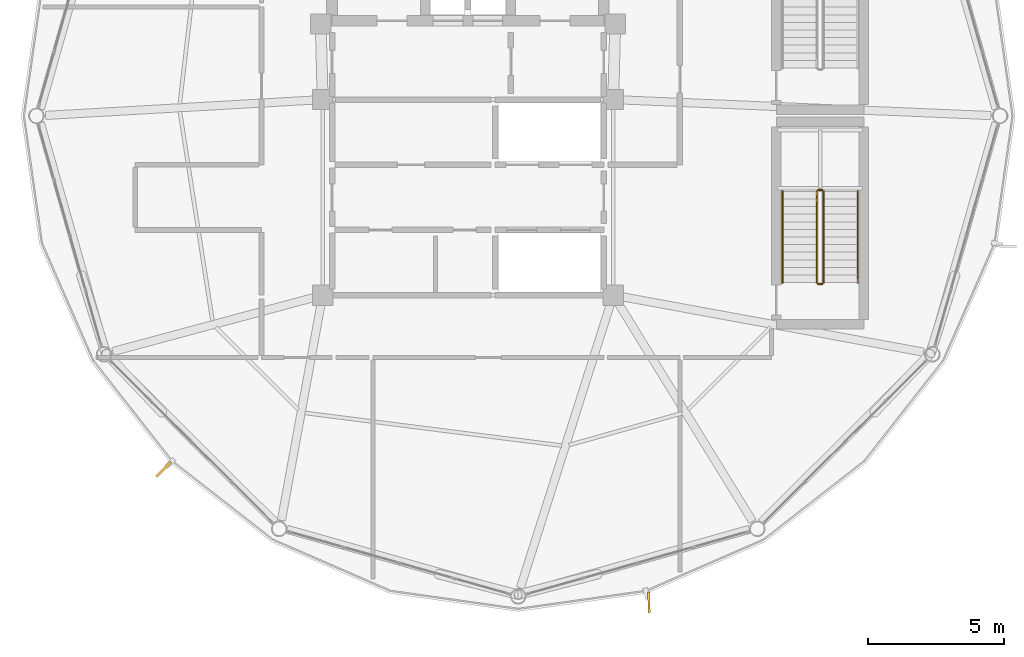
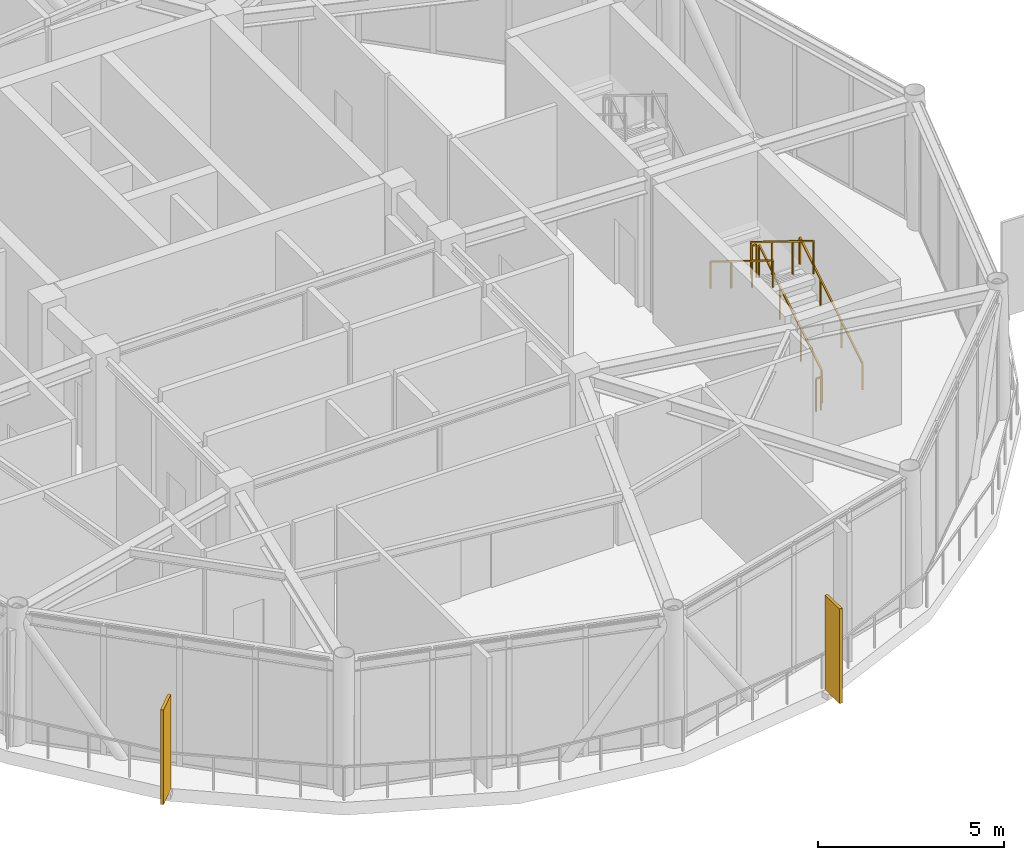
# One storey, part 24 of 26: 6 railings, 2 shading devices.
"""IFC4 building model written with IfcOpenShell, lengths in metres."""

from ifc_helpers import new_model, si_unit, direction, frame, origin, origin_2d, place, context, subcontext, project, spatial, rectangle, extrude, source, transform, mapped, material, type_object, type_shapes, element, save


model = new_model("IFC4")

# Units and contexts
model_context = context("Model", 3, precision=1e-05, world=origin(), true_north=direction((0.0, 1.0)))
body_context = subcontext(model_context, "Body", "Model", "MODEL_VIEW")
ifc_project = project(units=[si_unit("LENGTHUNIT", "METRE"), si_unit("AREAUNIT", "SQUARE_METRE"), si_unit("VOLUMEUNIT", "CUBIC_METRE"), si_unit("PLANEANGLEUNIT", "RADIAN"), si_unit("MASSUNIT", "GRAM", prefix="KILO")], contexts=[model_context])

# Site, building, storey
site_placement = place(None, origin())
site = spatial("IfcSite", under=ifc_project, at=site_placement, CompositionType="ELEMENT")
building_placement = place(site_placement, origin())
building = spatial("IfcBuilding", under=site, at=building_placement, Name="Varnakorn Sky Granary", CompositionType="ELEMENT")
storey_placement = place(building_placement, frame((0.0, 0.0, 289.5)))
storey = spatial("IfcBuildingStorey", under=building, at=storey_placement, Name="L74", CompositionType="ELEMENT", Elevation=289.5)

# Railings
ifc_material_1 = material(Name="Brushed Stainless Steel 316", Category="steel")
railing_type_1 = type_object("IfcRailingType", Name="RL-STAIR-1100", PredefinedType="GUARDRAIL", material=ifc_material_1)
railing_1_placement = place(storey_placement, frame((16.090087890625, -6.139892578125, 0.173095703125)))
element("IfcRailing", 1, at=railing_1_placement, inside=storey, type_object=railing_type_1, Name="L74 ST-C2 stair guard 1", PredefinedType="GUARDRAIL", context=body_context, shape_type="SweptSolid", body=[
    extrude(rectangle(XDim=0.048095703125, YDim=0.048095703125, at=origin_2d()), frame((0.0, 0.0, 1.076171875), z_axis=(0.0, 0.850606129759, 0.525803396734), x_axis=(-1.0, 0.0, 0.0)), (0.0, 0.0, 1.0), 3.949951171875),
    extrude(rectangle(XDim=0.0419921875, YDim=0.0419921875, at=origin_2d()), origin(), (0.0, 0.0, 1.0), 1.048095703125),
    extrude(rectangle(XDim=0.0419921875, YDim=0.0419921875, at=origin_2d()), frame((0.0, 1.119873046875, 0.6923828125)), (0.0, 0.0, 1.0), 1.048095703125),
    extrude(rectangle(XDim=0.0419921875, YDim=0.0419921875, at=origin_2d()), frame((0.0, 2.239990234375, 1.384521484375)), (0.0, 0.0, 1.0), 1.048095703125),
    extrude(rectangle(XDim=0.0419921875, YDim=0.0419921875, at=origin_2d()), frame((0.0, 3.35986328125, 2.076904296875)), (0.0, 0.0, 1.0), 1.048095703125),
])
railing_2_placement = place(storey_placement, frame((16.0400390625, -2.72998046875, 2.25)))
element("IfcRailing", 2, at=railing_2_placement, inside=storey, type_object=railing_type_1, Name="L74 ST-C2 stair guard 2", PredefinedType="GUARDRAIL", context=body_context, shape_type="SweptSolid", body=[
    extrude(rectangle(XDim=0.048095703125, YDim=0.048095703125, at=origin_2d()), frame((0.0, 0.0, 1.076171875), z_axis=(-1.0, 0.0, 0.0), x_axis=(0.0, -1.0, 0.0)), (0.0, 0.0, 1.0), 0.150146484375),
    extrude(rectangle(XDim=0.0419921875, YDim=0.0419921875, at=origin_2d()), origin(), (0.0, 0.0, 1.0), 1.048095703125),
    extrude(rectangle(XDim=0.0419921875, YDim=0.0419921875, at=origin_2d()), frame((-0.150146484375, 0.0, 0.0)), (0.0, 0.0, 1.0), 1.048095703125),
])
railing_3_placement = place(storey_placement, frame((15.840087890625, -2.780029296875, 2.423095703125)))
element("IfcRailing", 3, at=railing_3_placement, inside=storey, type_object=railing_type_1, Name="L74 ST-C2 stair guard 3", PredefinedType="GUARDRAIL", context=body_context, shape_type="SweptSolid", body=[
    extrude(rectangle(XDim=0.048095703125, YDim=0.048095703125, at=origin_2d()), frame((0.0, 0.0, 1.076171875), z_axis=(0.0, -0.850606129759, 0.525803396734), x_axis=(1.0, 0.0, 0.0)), (0.0, 0.0, 1.0), 3.949951171875),
    extrude(rectangle(XDim=0.0419921875, YDim=0.0419921875, at=origin_2d()), origin(), (0.0, 0.0, 1.0), 1.048095703125),
    extrude(rectangle(XDim=0.0419921875, YDim=0.0419921875, at=origin_2d()), frame((0.0, -1.119873046875, 0.6923828125)), (0.0, 0.0, 1.0), 1.048095703125),
    extrude(rectangle(XDim=0.0419921875, YDim=0.0419921875, at=origin_2d()), frame((0.0, -2.239990234375, 1.384521484375)), (0.0, 0.0, 1.0), 1.048095703125),
    extrude(rectangle(XDim=0.0419921875, YDim=0.0419921875, at=origin_2d()), frame((0.0, -3.35986328125, 2.076904296875)), (0.0, 0.0, 1.0), 1.048095703125),
])
railing_4_placement = place(storey_placement, frame((16.0400390625, -6.18994140625, 0.0)))
element("IfcRailing", 4, at=railing_4_placement, inside=storey, type_object=railing_type_1, Name="L74 ST-C2 stair guard 4", PredefinedType="GUARDRAIL", context=body_context, shape_type="SweptSolid", body=[
    extrude(rectangle(XDim=0.048095703125, YDim=0.048095703125, at=origin_2d()), frame((0.0, 0.0, 1.076171875), z_axis=(-1.0, 0.0, 0.0), x_axis=(0.0, -1.0, 0.0)), (0.0, 0.0, 1.0), 0.150146484375),
    extrude(rectangle(XDim=0.0419921875, YDim=0.0419921875, at=origin_2d()), origin(), (0.0, 0.0, 1.0), 1.048095703125),
    extrude(rectangle(XDim=0.0419921875, YDim=0.0419921875, at=origin_2d()), frame((-0.150146484375, 0.0, 0.0)), (0.0, 0.0, 1.0), 1.048095703125),
])
railing_type_2 = type_object("IfcRailingType", Name="RL-STAIR-920", PredefinedType="HANDRAIL", material=ifc_material_1)
railing_5_placement = place(storey_placement, frame((17.35009765625, -6.139892578125, 0.173095703125)))
element("IfcRailing", 5, at=railing_5_placement, inside=storey, type_object=railing_type_2, Name="L74 ST-C2 stair handrail 1", PredefinedType="HANDRAIL", context=body_context, shape_type="SweptSolid", body=[
    extrude(rectangle(XDim=0.048095703125, YDim=0.048095703125, at=origin_2d()), frame((0.0, 0.0, 0.8759765625), z_axis=(0.0, 0.850606129759, 0.525803396734), x_axis=(-1.0, 0.0, 0.0)), (0.0, 0.0, 1.0), 3.949951171875),
    extrude(rectangle(XDim=0.0419921875, YDim=0.0419921875, at=origin_2d()), origin(), (0.0, 0.0, 1.0), 0.847900390625),
    extrude(rectangle(XDim=0.0419921875, YDim=0.0419921875, at=origin_2d()), frame((0.0, 1.119873046875, 0.6923828125)), (0.0, 0.0, 1.0), 0.847900390625),
    extrude(rectangle(XDim=0.0419921875, YDim=0.0419921875, at=origin_2d()), frame((0.0, 2.239990234375, 1.384521484375)), (0.0, 0.0, 1.0), 0.847900390625),
    extrude(rectangle(XDim=0.0419921875, YDim=0.0419921875, at=origin_2d()), frame((0.0, 3.35986328125, 2.076904296875)), (0.0, 0.0, 1.0), 0.847900390625),
])
railing_6_placement = place(storey_placement, frame((14.580078125, -2.780029296875, 2.423095703125)))
element("IfcRailing", 6, at=railing_6_placement, inside=storey, type_object=railing_type_2, Name="L74 ST-C2 stair handrail 2", PredefinedType="HANDRAIL", context=body_context, shape_type="SweptSolid", body=[
    extrude(rectangle(XDim=0.048095703125, YDim=0.048095703125, at=origin_2d()), frame((0.0, 0.0, 0.8759765625), z_axis=(0.0, -0.850606129759, 0.525803396734), x_axis=(1.0, 0.0, 0.0)), (0.0, 0.0, 1.0), 3.949951171875),
    extrude(rectangle(XDim=0.0419921875, YDim=0.0419921875, at=origin_2d()), origin(), (0.0, 0.0, 1.0), 0.847900390625),
    extrude(rectangle(XDim=0.0419921875, YDim=0.0419921875, at=origin_2d()), frame((0.0, -1.119873046875, 0.6923828125)), (0.0, 0.0, 1.0), 0.847900390625),
    extrude(rectangle(XDim=0.0419921875, YDim=0.0419921875, at=origin_2d()), frame((0.0, -2.239990234375, 1.384521484375)), (0.0, 0.0, 1.0), 0.847900390625),
    extrude(rectangle(XDim=0.0419921875, YDim=0.0419921875, at=origin_2d()), frame((0.0, -3.35986328125, 2.076904296875)), (0.0, 0.0, 1.0), 0.847900390625),
])

# Shading devices
ifc_material_2 = material(Name="Anodised Bronze Aluminium Alloy 6063-T6", Category="aluminium")
shading_device_type = type_object("IfcShadingDeviceType", Name="SH-FIN-03", PredefinedType="USERDEFINED", material=ifc_material_2)
shared_shape = source(origin(), body_context, "Body", "SweptSolid", [
    extrude(rectangle(XDim=0.0849609375, YDim=0.760009765625, at=origin_2d()), origin(), (0.0, 0.0, 1.0), 3.10009765625),
])
type_shapes(shading_device_type, [shared_shape])
for number, where, z_axis, x_axis, name in (
    (7, (-8.20361328125, -13.017333984375, -0.0400390625), (0.0, 0.0, 1.0), (0.706673135972, -0.707540160623, 0.0), "Bronze Solar-Tracking Vertical Blade FIN L74-08"),
    (8, (9.6630859375, -17.9130859375, -0.0400390625), (0.0, 0.0, 1.0), (0.999782765599, 0.020842783214, 0.0), "Bronze Solar-Tracking Vertical Blade FIN L74-10"),
):
    element("IfcShadingDevice", number, at=place(storey_placement, frame(where, z_axis=z_axis, x_axis=x_axis)), inside=storey, type_object=shading_device_type, Name=name, ObjectType="FIN", PredefinedType="USERDEFINED", context=body_context, shape_type="MappedRepresentation", body=[
        mapped(shared_shape, transform((0.0, 0.0, 0.0), x_axis=(1.0, 0.0, 0.0), y_axis=(0.0, 1.0, 0.0), z_axis=(0.0, 0.0, 1.0), scale=1.0)),
    ])

save(model, "model.ifc")
